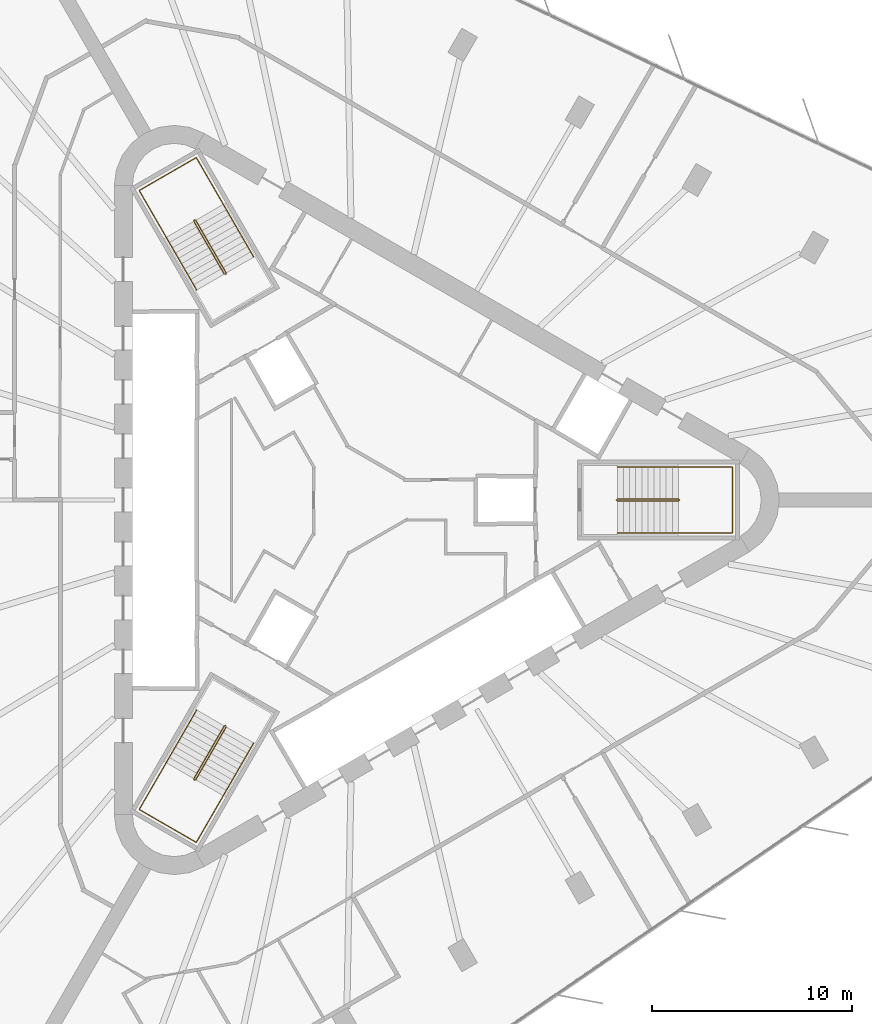
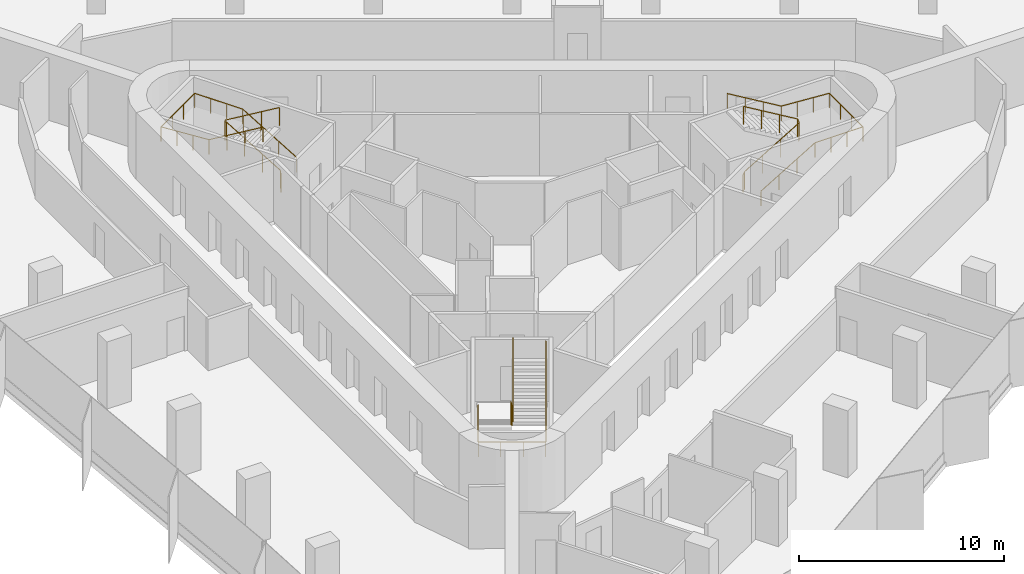
# One storey, part 13 of 13: 6 railings.
"""IFC4 building model written with IfcOpenShell, lengths in metres."""

from ifc_helpers import new_model, si_unit, direction, frame, origin, origin_2d, place, context, subcontext, project, spatial, circle, extrude, material, type_object, element, save


model = new_model("IFC4")

# Units and contexts
model_context = context("Model", 3, precision=1e-05, world=origin(), true_north=direction((0.0, 1.0)))
body_context = subcontext(model_context, "Body", "Model", "MODEL_VIEW")
ifc_project = project(units=[si_unit("LENGTHUNIT", "METRE"), si_unit("AREAUNIT", "SQUARE_METRE"), si_unit("VOLUMEUNIT", "CUBIC_METRE"), si_unit("PLANEANGLEUNIT", "RADIAN"), si_unit("MASSUNIT", "GRAM", prefix="KILO")], contexts=[model_context])

# Site, building, storey
site_placement = place(None, origin())
site = spatial("IfcSite", under=ifc_project, at=site_placement, CompositionType="ELEMENT")
building_placement = place(site_placement, origin())
building = spatial("IfcBuilding", under=site, at=building_placement, Name="Tanit Gate Tower", CompositionType="ELEMENT")
storey_placement = place(building_placement, frame((0.0, 0.0, 181.199951171875)))
storey = spatial("IfcBuildingStorey", under=building, at=storey_placement, Name="L39", CompositionType="ELEMENT", Elevation=181.199951171875)

# Railings
ifc_material_1 = material(Name="Stainless steel balustrade", Category="steel")
railing_type_1 = type_object("IfcRailingType", Name="INT-STAIR-GUARD", PredefinedType="GUARDRAIL", material=ifc_material_1)
railing_1_placement = place(storey_placement, frame((13.044921875, 0.0048828125, 0.0)))
element("IfcRailing", 1, at=railing_1_placement, inside=storey, type_object=railing_type_1, Name="L39 S1 stair guard 1", PredefinedType="GUARDRAIL", context=body_context, shape_type="SweptSolid", body=[
    extrude(circle(Radius=0.02392578125, at=origin_2d()), frame((0.0, 0.0, 1.076171875), z_axis=(0.0, -1.0, 0.0), x_axis=(1.0, 0.0, 0.0)), (0.0, 0.0, 1.0), 0.009765625),
    extrude(circle(Radius=0.02392578125, at=origin_2d()), frame((0.0, -0.009765625, 1.076171875), z_axis=(0.256435381639, -0.256435381639, 0.931923704005), x_axis=(0.707106781187, 0.707106781187, 0.0)), (0.0, 0.0, 1.0), 0.195068359375),
    extrude(circle(Radius=0.02392578125, at=origin_2d()), frame((0.050048828125, -0.059814453125, 1.2578125), z_axis=(0.859041732319, 0.0, 0.511905559781), x_axis=(0.0, 1.0, 0.0)), (0.0, 0.0, 1.0), 3.5517578125),
    extrude(circle(Radius=0.02392578125, at=origin_2d()), frame((3.10107421875, -0.059814453125, 3.076171875), z_axis=(0.707106781187, 0.707106781187, 0.0), x_axis=(-0.707106781187, 0.707106781187, 0.0)), (0.0, 0.0, 1.0), 0.07080078125),
    extrude(circle(Radius=0.02392578125, at=origin_2d()), frame((3.151123046875, -0.009765625, 3.076171875), z_axis=(0.0, 1.0, 0.0), x_axis=(-1.0, 0.0, 0.0)), (0.0, 0.0, 1.0), 0.009765625),
    extrude(circle(Radius=0.02392578125, at=origin_2d()), frame((3.151123046875, 0.0, 3.076171875), z_axis=(-0.256435381639, 0.256435381639, 0.931923704005), x_axis=(-0.707106781187, -0.707106781187, 0.0)), (0.0, 0.0, 1.0), 0.195068359375),
    extrude(circle(Radius=0.02392578125, at=origin_2d()), frame((3.10107421875, 0.050048828125, 3.2578125), z_axis=(-0.859041732319, 0.0, 0.511905559781), x_axis=(0.0, -1.0, 0.0)), (0.0, 0.0, 1.0), 3.5517578125),
    extrude(circle(Radius=0.02099609375, at=origin_2d()), origin(), (0.0, 0.0, 1.0), 1.052001953125),
    extrude(circle(Radius=0.02099609375, at=origin_2d()), frame((0.0, -0.009765625, 0.0)), (0.0, 0.0, 1.0), 1.052001953125),
    extrude(circle(Radius=0.02099609375, at=origin_2d()), frame((0.050048828125, -0.059814453125, 0.181884765625)), (0.0, 0.0, 1.0), 1.052001953125),
    extrude(circle(Radius=0.02099609375, at=origin_2d()), frame((1.067138671875, -0.059814453125, 0.787841796875)), (0.0, 0.0, 1.0), 1.052001953125),
    extrude(circle(Radius=0.02099609375, at=origin_2d()), frame((2.083984375, -0.059814453125, 1.39404296875)), (0.0, 0.0, 1.0), 1.052001953125),
    extrude(circle(Radius=0.02099609375, at=origin_2d()), frame((3.10107421875, -0.059814453125, 2.0)), (0.0, 0.0, 1.0), 1.052001953125),
    extrude(circle(Radius=0.02099609375, at=origin_2d()), frame((3.151123046875, -0.009765625, 2.0)), (0.0, 0.0, 1.0), 1.052001953125),
    extrude(circle(Radius=0.02099609375, at=origin_2d()), frame((3.151123046875, 0.0, 2.0)), (0.0, 0.0, 1.0), 1.052001953125),
    extrude(circle(Radius=0.02099609375, at=origin_2d()), frame((3.10107421875, 0.050048828125, 2.181884765625)), (0.0, 0.0, 1.0), 1.052001953125),
    extrude(circle(Radius=0.02099609375, at=origin_2d()), frame((2.083984375, 0.050048828125, 2.787841796875)), (0.0, 0.0, 1.0), 1.052001953125),
    extrude(circle(Radius=0.02099609375, at=origin_2d()), frame((1.067138671875, 0.050048828125, 3.39404296875)), (0.0, 0.0, 1.0), 1.052001953125),
    extrude(circle(Radius=0.02099609375, at=origin_2d()), frame((0.050048828125, 0.050048828125, 4.0)), (0.0, 0.0, 1.0), 1.052001953125),
])
railing_2_placement = place(storey_placement, frame((-6.527099609375, 11.29345703125, 0.0)))
element("IfcRailing", 2, at=railing_2_placement, inside=storey, type_object=railing_type_1, Name="L39 S2 stair guard 1", PredefinedType="GUARDRAIL", context=body_context, shape_type="SweptSolid", body=[
    extrude(circle(Radius=0.02392578125, at=origin_2d()), frame((0.0, 0.0, 1.076171875), z_axis=(0.868243142124, 0.496138938357, 0.0), x_axis=(-0.496138938357, 0.868243142124, 0.0)), (0.0, 0.0, 1.0), 0.01171875),
    extrude(circle(Radius=0.02392578125, at=origin_2d()), frame((0.01025390625, 0.005859375, 1.076171875), z_axis=(0.093819657636, 0.350260055175, 0.93194193252), x_axis=(-0.965948051503, 0.258736085224, 0.0)), (0.0, 0.0, 1.0), 0.195068359375),
    extrude(circle(Radius=0.02392578125, at=origin_2d()), frame((0.028564453125, 0.07421875, 1.2578125), z_axis=(-0.429472220917, 0.743822504634, 0.512134448226), x_axis=(-0.866012246495, -0.500022788402, 0.0)), (0.0, 0.0, 1.0), 3.550048828125),
    extrude(circle(Radius=0.02392578125, at=origin_2d()), frame((-1.49609375, 2.71484375, 3.076171875), z_axis=(-0.965715946433, 0.259601060869, 0.0), x_axis=(-0.259601060869, -0.965715946433, 0.0)), (0.0, 0.0, 1.0), 0.070556640625),
    extrude(circle(Radius=0.02392578125, at=origin_2d()), frame((-1.564208984375, 2.733154296875, 3.076171875), z_axis=(-0.873197702015, -0.487366159264, 0.0), x_axis=(0.487366159264, -0.873197702015, 0.0)), (0.0, 0.0, 1.0), 0.011962890625),
    extrude(circle(Radius=0.02392578125, at=origin_2d()), frame((-1.57470703125, 2.727294921875, 3.076171875), z_axis=(-0.093819657636, -0.350260055175, 0.93194193252), x_axis=(0.965948051503, -0.258736085224, 0.0)), (0.0, 0.0, 1.0), 0.195068359375),
    extrude(circle(Radius=0.02392578125, at=origin_2d()), frame((-1.593017578125, 2.658935546875, 3.2578125), z_axis=(0.429472220917, -0.743822504634, 0.512134448226), x_axis=(0.866012246495, 0.500022788402, 0.0)), (0.0, 0.0, 1.0), 3.550048828125),
    extrude(circle(Radius=0.02099609375, at=origin_2d()), origin(), (0.0, 0.0, 1.0), 1.052001953125),
    extrude(circle(Radius=0.02099609375, at=origin_2d()), frame((0.01025390625, 0.005859375, 0.0)), (0.0, 0.0, 1.0), 1.052001953125),
    extrude(circle(Radius=0.02099609375, at=origin_2d()), frame((0.028564453125, 0.07421875, 0.181884765625)), (0.0, 0.0, 1.0), 1.052001953125),
    extrude(circle(Radius=0.02099609375, at=origin_2d()), frame((-0.479736328125, 0.954345703125, 0.787841796875)), (0.0, 0.0, 1.0), 1.052001953125),
    extrude(circle(Radius=0.02099609375, at=origin_2d()), frame((-0.98779296875, 1.834716796875, 1.39404296875)), (0.0, 0.0, 1.0), 1.052001953125),
    extrude(circle(Radius=0.02099609375, at=origin_2d()), frame((-1.49609375, 2.71484375, 2.0)), (0.0, 0.0, 1.0), 1.052001953125),
    extrude(circle(Radius=0.02099609375, at=origin_2d()), frame((-1.564208984375, 2.733154296875, 2.0)), (0.0, 0.0, 1.0), 1.052001953125),
    extrude(circle(Radius=0.02099609375, at=origin_2d()), frame((-1.57470703125, 2.727294921875, 2.0)), (0.0, 0.0, 1.0), 1.052001953125),
    extrude(circle(Radius=0.02099609375, at=origin_2d()), frame((-1.593017578125, 2.658935546875, 2.181884765625)), (0.0, 0.0, 1.0), 1.052001953125),
    extrude(circle(Radius=0.02099609375, at=origin_2d()), frame((-1.084716796875, 1.77880859375, 2.787841796875)), (0.0, 0.0, 1.0), 1.052001953125),
    extrude(circle(Radius=0.02099609375, at=origin_2d()), frame((-0.57666015625, 0.8984375, 3.39404296875)), (0.0, 0.0, 1.0), 1.052001953125),
    extrude(circle(Radius=0.02099609375, at=origin_2d()), frame((-0.068359375, 0.018310546875, 4.0)), (0.0, 0.0, 1.0), 1.052001953125),
])
railing_3_placement = place(storey_placement, frame((-6.51806640625, -11.2998046875, 0.0)))
element("IfcRailing", 3, at=railing_3_placement, inside=storey, type_object=railing_type_1, Name="L39 S3 stair guard 1", PredefinedType="GUARDRAIL", context=body_context, shape_type="SweptSolid", body=[
    extrude(circle(Radius=0.02392578125, at=origin_2d()), frame((0.0, 0.0, 1.076171875), z_axis=(-0.874157276122, 0.485642931179, 0.0), x_axis=(-0.485642931179, -0.874157276122, 0.0)), (0.0, 0.0, 1.0), 0.010009765625),
    extrude(circle(Radius=0.02392578125, at=origin_2d()), frame((-0.0087890625, 0.0048828125, 1.076171875), z_axis=(-0.350300895388, -0.092579522353, 0.932050596658), x_axis=(0.255512919477, -0.966805641264, 0.0)), (0.0, 0.0, 1.0), 0.195068359375),
    extrude(circle(Radius=0.02392578125, at=origin_2d()), frame((-0.0771484375, -0.01318359375, 1.2578125), z_axis=(-0.429486674828, -0.743971555965, 0.511905772639), x_axis=(0.866048339477, -0.499960272111, 0.0)), (0.0, 0.0, 1.0), 3.5517578125),
    extrude(circle(Radius=0.02392578125, at=origin_2d()), frame((-1.6025390625, -2.655517578125, 3.076171875), z_axis=(0.258736085224, -0.965948051503, 0.0), x_axis=(0.965948051503, 0.258736085224, 0.0)), (0.0, 0.0, 1.0), 0.07080078125),
    extrude(circle(Radius=0.02392578125, at=origin_2d()), frame((-1.584228515625, -2.723876953125, 3.076171875), z_axis=(0.868243142124, -0.496138938357, 0.0), x_axis=(0.496138938357, 0.868243142124, 0.0)), (0.0, 0.0, 1.0), 0.009765625),
    extrude(circle(Radius=0.02392578125, at=origin_2d()), frame((-1.57568359375, -2.728759765625, 3.076171875), z_axis=(0.350260055175, 0.093819657636, 0.93194193252), x_axis=(-0.258736085224, 0.965948051503, 0.0)), (0.0, 0.0, 1.0), 0.195068359375),
    extrude(circle(Radius=0.02392578125, at=origin_2d()), frame((-1.50732421875, -2.71044921875, 3.2578125), z_axis=(0.429564698942, 0.743918894535, 0.511916836777), x_axis=(-0.865993683553, 0.500054937028, 0.0)), (0.0, 0.0, 1.0), 3.551513671875),
    extrude(circle(Radius=0.02099609375, at=origin_2d()), origin(), (0.0, 0.0, 1.0), 1.052001953125),
    extrude(circle(Radius=0.02099609375, at=origin_2d()), frame((-0.0087890625, 0.0048828125, 0.0)), (0.0, 0.0, 1.0), 1.052001953125),
    extrude(circle(Radius=0.02099609375, at=origin_2d()), frame((-0.0771484375, -0.01318359375, 0.181884765625)), (0.0, 0.0, 1.0), 1.052001953125),
    extrude(circle(Radius=0.02099609375, at=origin_2d()), frame((-0.585693359375, -0.89404296875, 0.787841796875)), (0.0, 0.0, 1.0), 1.052001953125),
    extrude(circle(Radius=0.02099609375, at=origin_2d()), frame((-1.093994140625, -1.774658203125, 1.39404296875)), (0.0, 0.0, 1.0), 1.052001953125),
    extrude(circle(Radius=0.02099609375, at=origin_2d()), frame((-1.6025390625, -2.655517578125, 2.0)), (0.0, 0.0, 1.0), 1.052001953125),
    extrude(circle(Radius=0.02099609375, at=origin_2d()), frame((-1.584228515625, -2.723876953125, 2.0)), (0.0, 0.0, 1.0), 1.052001953125),
    extrude(circle(Radius=0.02099609375, at=origin_2d()), frame((-1.57568359375, -2.728759765625, 2.0)), (0.0, 0.0, 1.0), 1.052001953125),
    extrude(circle(Radius=0.02099609375, at=origin_2d()), frame((-1.50732421875, -2.71044921875, 2.181884765625)), (0.0, 0.0, 1.0), 1.052001953125),
    extrude(circle(Radius=0.02099609375, at=origin_2d()), frame((-0.998779296875, -1.829833984375, 2.787841796875)), (0.0, 0.0, 1.0), 1.052001953125),
    extrude(circle(Radius=0.02099609375, at=origin_2d()), frame((-0.490234375, -0.948974609375, 3.39404296875)), (0.0, 0.0, 1.0), 1.052001953125),
    extrude(circle(Radius=0.02099609375, at=origin_2d()), frame((0.018310546875, -0.068359375, 4.0)), (0.0, 0.0, 1.0), 1.052001953125),
])
ifc_material_2 = material(Name="Stainless steel handrail", Category="steel")
railing_type_2 = type_object("IfcRailingType", Name="INT-STAIR-HANDRAIL", PredefinedType="HANDRAIL", material=ifc_material_2)
railing_4_placement = place(storey_placement, frame((13.094970703125, -1.64990234375, 0.181884765625)))
element("IfcRailing", 4, at=railing_4_placement, inside=storey, type_object=railing_type_2, Name="L39 S1 stair handrail 1", PredefinedType="HANDRAIL", context=body_context, shape_type="SweptSolid", body=[
    extrude(circle(Radius=0.02392578125, at=origin_2d()), frame((0.0, 0.0, 0.8759765625), z_axis=(0.859041732319, 0.0, 0.511905559781), x_axis=(0.0, 1.0, 0.0)), (0.0, 0.0, 1.0), 3.5517578125),
    extrude(circle(Radius=0.02392578125, at=origin_2d()), frame((3.051025390625, 0.0, 2.69384765625), z_axis=(1.0, 0.0, 0.0), x_axis=(0.0, 1.0, 0.0)), (0.0, 0.0, 1.0), 2.7041015625),
    extrude(circle(Radius=0.02392578125, at=origin_2d()), frame((5.755126953125, 0.0, 2.69384765625), z_axis=(0.0, 1.0, 0.0), x_axis=(-1.0, 0.0, 0.0)), (0.0, 0.0, 1.0), 3.2998046875),
    extrude(circle(Radius=0.02392578125, at=origin_2d()), frame((5.755126953125, 3.2998046875, 2.69384765625), z_axis=(-0.997745521698, 0.0, 0.067110907698), x_axis=(0.0, -1.0, 0.0)), (0.0, 0.0, 1.0), 2.710205078125),
    extrude(circle(Radius=0.02392578125, at=origin_2d()), frame((3.051025390625, 3.2998046875, 2.8759765625), z_axis=(-0.859041732319, 0.0, 0.511905559781), x_axis=(0.0, -1.0, 0.0)), (0.0, 0.0, 1.0), 3.5517578125),
    extrude(circle(Radius=0.02099609375, at=origin_2d()), origin(), (0.0, 0.0, 1.0), 0.851806640625),
    extrude(circle(Radius=0.02099609375, at=origin_2d()), frame((1.01708984375, 0.0, 0.60595703125)), (0.0, 0.0, 1.0), 0.851806640625),
    extrude(circle(Radius=0.02099609375, at=origin_2d()), frame((2.033935546875, 0.0, 1.212158203125)), (0.0, 0.0, 1.0), 0.851806640625),
    extrude(circle(Radius=0.02099609375, at=origin_2d()), frame((3.051025390625, 0.0, 1.818115234375)), (0.0, 0.0, 1.0), 0.851806640625),
    extrude(circle(Radius=0.02099609375, at=origin_2d()), frame((3.952392578125, 0.0, 1.818115234375)), (0.0, 0.0, 1.0), 0.851806640625),
    extrude(circle(Radius=0.02099609375, at=origin_2d()), frame((4.853759765625, 0.0, 1.818115234375)), (0.0, 0.0, 1.0), 0.851806640625),
    extrude(circle(Radius=0.02099609375, at=origin_2d()), frame((5.755126953125, 0.0, 1.818115234375)), (0.0, 0.0, 1.0), 0.851806640625),
    extrude(circle(Radius=0.02099609375, at=origin_2d()), frame((5.755126953125, 1.099853515625, 1.818115234375)), (0.0, 0.0, 1.0), 0.851806640625),
    extrude(circle(Radius=0.02099609375, at=origin_2d()), frame((5.755126953125, 2.199951171875, 1.818115234375)), (0.0, 0.0, 1.0), 0.851806640625),
    extrude(circle(Radius=0.02099609375, at=origin_2d()), frame((5.755126953125, 3.2998046875, 1.818115234375)), (0.0, 0.0, 1.0), 0.851806640625),
    extrude(circle(Radius=0.02099609375, at=origin_2d()), frame((4.853759765625, 3.2998046875, 1.878662109375)), (0.0, 0.0, 1.0), 0.851806640625),
    extrude(circle(Radius=0.02099609375, at=origin_2d()), frame((3.952392578125, 3.2998046875, 1.939453125)), (0.0, 0.0, 1.0), 0.851806640625),
    extrude(circle(Radius=0.02099609375, at=origin_2d()), frame((3.051025390625, 3.2998046875, 2.0)), (0.0, 0.0, 1.0), 0.851806640625),
    extrude(circle(Radius=0.02099609375, at=origin_2d()), frame((2.033935546875, 3.2998046875, 2.60595703125)), (0.0, 0.0, 1.0), 0.851806640625),
    extrude(circle(Radius=0.02099609375, at=origin_2d()), frame((1.01708984375, 3.2998046875, 3.212158203125)), (0.0, 0.0, 1.0), 0.851806640625),
    extrude(circle(Radius=0.02099609375, at=origin_2d()), frame((0.0, 3.2998046875, 3.818115234375)), (0.0, 0.0, 1.0), 0.851806640625),
])
railing_5_placement = place(storey_placement, frame((-5.1181640625, 12.164794921875, 0.181884765625)))
element("IfcRailing", 5, at=railing_5_placement, inside=storey, type_object=railing_type_2, Name="L39 S2 stair handrail 1", PredefinedType="HANDRAIL", context=body_context, shape_type="SweptSolid", body=[
    extrude(circle(Radius=0.02392578125, at=origin_2d()), frame((0.0, 0.0, 0.8759765625), z_axis=(-0.429416132344, 0.743844472684, 0.512149573602), x_axis=(-0.866046917185, -0.499962735845, 0.0)), (0.0, 0.0, 1.0), 3.550048828125),
    extrude(circle(Radius=0.02392578125, at=origin_2d()), frame((-1.5244140625, 2.640625, 2.69384765625), z_axis=(-0.500019123664, 0.86601436245, 0.0), x_axis=(-0.86601436245, -0.500019123664, 0.0)), (0.0, 0.0, 1.0), 2.70703125),
    extrude(circle(Radius=0.02392578125, at=origin_2d()), frame((-2.8779296875, 4.98486328125, 2.69384765625), z_axis=(-0.866008176907, -0.50002983664, 0.0), x_axis=(0.50002983664, -0.866008176907, 0.0)), (0.0, 0.0, 1.0), 3.300048828125),
    extrude(circle(Radius=0.02392578125, at=origin_2d()), frame((-5.73583984375, 3.334716796875, 2.69384765625), z_axis=(0.498932980467, -0.864043208057, 0.067046369128), x_axis=(0.865991810323, 0.500058181068, 0.0)), (0.0, 0.0, 1.0), 2.712890625),
    extrude(circle(Radius=0.02392578125, at=origin_2d()), frame((-4.38232421875, 0.99072265625, 2.8759765625), z_axis=(0.429450252752, -0.743853224023, 0.512108251761), x_axis=(0.866032263162, 0.499988119021, 0.0)), (0.0, 0.0, 1.0), 3.55029296875),
    extrude(circle(Radius=0.02099609375, at=origin_2d()), origin(), (0.0, 0.0, 1.0), 0.851806640625),
    extrude(circle(Radius=0.02099609375, at=origin_2d()), frame((-0.508056640625, 0.880126953125, 0.60595703125)), (0.0, 0.0, 1.0), 0.851806640625),
    extrude(circle(Radius=0.02099609375, at=origin_2d()), frame((-1.016357421875, 1.760498046875, 1.212158203125)), (0.0, 0.0, 1.0), 0.851806640625),
    extrude(circle(Radius=0.02099609375, at=origin_2d()), frame((-1.5244140625, 2.640625, 1.818115234375)), (0.0, 0.0, 1.0), 0.851806640625),
    extrude(circle(Radius=0.02099609375, at=origin_2d()), frame((-1.9755859375, 3.422119140625, 1.818115234375)), (0.0, 0.0, 1.0), 0.851806640625),
    extrude(circle(Radius=0.02099609375, at=origin_2d()), frame((-2.4267578125, 4.203369140625, 1.818115234375)), (0.0, 0.0, 1.0), 0.851806640625),
    extrude(circle(Radius=0.02099609375, at=origin_2d()), frame((-2.8779296875, 4.98486328125, 1.818115234375)), (0.0, 0.0, 1.0), 0.851806640625),
    extrude(circle(Radius=0.02099609375, at=origin_2d()), frame((-3.83056640625, 4.434814453125, 1.818115234375)), (0.0, 0.0, 1.0), 0.851806640625),
    extrude(circle(Radius=0.02099609375, at=origin_2d()), frame((-4.783203125, 3.884765625, 1.818115234375)), (0.0, 0.0, 1.0), 0.851806640625),
    extrude(circle(Radius=0.02099609375, at=origin_2d()), frame((-5.73583984375, 3.334716796875, 1.818115234375)), (0.0, 0.0, 1.0), 0.851806640625),
    extrude(circle(Radius=0.02099609375, at=origin_2d()), frame((-5.28466796875, 2.553466796875, 1.878662109375)), (0.0, 0.0, 1.0), 0.851806640625),
    extrude(circle(Radius=0.02099609375, at=origin_2d()), frame((-4.83349609375, 1.77197265625, 1.939453125)), (0.0, 0.0, 1.0), 0.851806640625),
    extrude(circle(Radius=0.02099609375, at=origin_2d()), frame((-4.38232421875, 0.99072265625, 2.0)), (0.0, 0.0, 1.0), 0.851806640625),
    extrude(circle(Radius=0.02099609375, at=origin_2d()), frame((-3.8740234375, 0.1103515625, 2.60595703125)), (0.0, 0.0, 1.0), 0.851806640625),
    extrude(circle(Radius=0.02099609375, at=origin_2d()), frame((-3.365966796875, -0.769775390625, 3.212158203125)), (0.0, 0.0, 1.0), 0.851806640625),
    extrude(circle(Radius=0.02099609375, at=origin_2d()), frame((-2.857666015625, -1.650146484375, 3.818115234375)), (0.0, 0.0, 1.0), 0.851806640625),
])
railing_6_placement = place(storey_placement, frame((-7.9765625, -10.515625, 0.181884765625)))
element("IfcRailing", 6, at=railing_6_placement, inside=storey, type_object=railing_type_2, Name="L39 S3 stair handrail 1", PredefinedType="HANDRAIL", context=body_context, shape_type="SweptSolid", body=[
    extrude(circle(Radius=0.02392578125, at=origin_2d()), frame((0.0, 0.0, 0.8759765625), z_axis=(-0.429486674828, -0.743971555965, 0.511905772639), x_axis=(0.866048339477, -0.499960272111, 0.0)), (0.0, 0.0, 1.0), 3.5517578125),
    extrude(circle(Radius=0.02392578125, at=origin_2d()), frame((-1.525390625, -2.642333984375, 2.69384765625), z_axis=(-0.50004290449, -0.866000631449, 0.0), x_axis=(0.866000631449, -0.50004290449, 0.0)), (0.0, 0.0, 1.0), 2.703857421875),
    extrude(circle(Radius=0.02392578125, at=origin_2d()), frame((-2.87744140625, -4.98388671875, 2.69384765625), z_axis=(0.866008176907, -0.50002983664, 0.0), x_axis=(0.50002983664, 0.866008176907, 0.0)), (0.0, 0.0, 1.0), 3.300048828125),
    extrude(circle(Radius=0.02392578125, at=origin_2d()), frame((-0.01953125, -6.634033203125, 2.69384765625), z_axis=(0.498876541924, 0.864070745781, 0.067111416348), x_axis=(-0.866023205937, 0.500003806764, 0.0)), (0.0, 0.0, 1.0), 2.710205078125),
    extrude(circle(Radius=0.02392578125, at=origin_2d()), frame((1.33251953125, -4.292236328125, 2.8759765625), z_axis=(0.429486674828, 0.743971555965, 0.511905772639), x_axis=(-0.866048339477, 0.499960272111, 0.0)), (0.0, 0.0, 1.0), 3.5517578125),
    extrude(circle(Radius=0.02099609375, at=origin_2d()), origin(), (0.0, 0.0, 1.0), 0.851806640625),
    extrude(circle(Radius=0.02099609375, at=origin_2d()), frame((-0.508544921875, -0.880859375, 0.60595703125)), (0.0, 0.0, 1.0), 0.851806640625),
    extrude(circle(Radius=0.02099609375, at=origin_2d()), frame((-1.016845703125, -1.761474609375, 1.212158203125)), (0.0, 0.0, 1.0), 0.851806640625),
    extrude(circle(Radius=0.02099609375, at=origin_2d()), frame((-1.525390625, -2.642333984375, 1.818115234375)), (0.0, 0.0, 1.0), 0.851806640625),
    extrude(circle(Radius=0.02099609375, at=origin_2d()), frame((-1.97607421875, -3.4228515625, 1.818115234375)), (0.0, 0.0, 1.0), 0.851806640625),
    extrude(circle(Radius=0.02099609375, at=origin_2d()), frame((-2.4267578125, -4.203369140625, 1.818115234375)), (0.0, 0.0, 1.0), 0.851806640625),
    extrude(circle(Radius=0.02099609375, at=origin_2d()), frame((-2.87744140625, -4.98388671875, 1.818115234375)), (0.0, 0.0, 1.0), 0.851806640625),
    extrude(circle(Radius=0.02099609375, at=origin_2d()), frame((-1.9248046875, -5.533935546875, 1.818115234375)), (0.0, 0.0, 1.0), 0.851806640625),
    extrude(circle(Radius=0.02099609375, at=origin_2d()), frame((-0.97216796875, -6.083984375, 1.818115234375)), (0.0, 0.0, 1.0), 0.851806640625),
    extrude(circle(Radius=0.02099609375, at=origin_2d()), frame((-0.01953125, -6.634033203125, 1.818115234375)), (0.0, 0.0, 1.0), 0.851806640625),
    extrude(circle(Radius=0.02099609375, at=origin_2d()), frame((0.43115234375, -5.853515625, 1.878662109375)), (0.0, 0.0, 1.0), 0.851806640625),
    extrude(circle(Radius=0.02099609375, at=origin_2d()), frame((0.8818359375, -5.07275390625, 1.939453125)), (0.0, 0.0, 1.0), 0.851806640625),
    extrude(circle(Radius=0.02099609375, at=origin_2d()), frame((1.33251953125, -4.292236328125, 2.0)), (0.0, 0.0, 1.0), 0.851806640625),
    extrude(circle(Radius=0.02099609375, at=origin_2d()), frame((1.841064453125, -3.411376953125, 2.60595703125)), (0.0, 0.0, 1.0), 0.851806640625),
    extrude(circle(Radius=0.02099609375, at=origin_2d()), frame((2.349365234375, -2.53076171875, 3.212158203125)), (0.0, 0.0, 1.0), 0.851806640625),
    extrude(circle(Radius=0.02099609375, at=origin_2d()), frame((2.85791015625, -1.64990234375, 3.818115234375)), (0.0, 0.0, 1.0), 0.851806640625),
])

save(model, "model.ifc")
